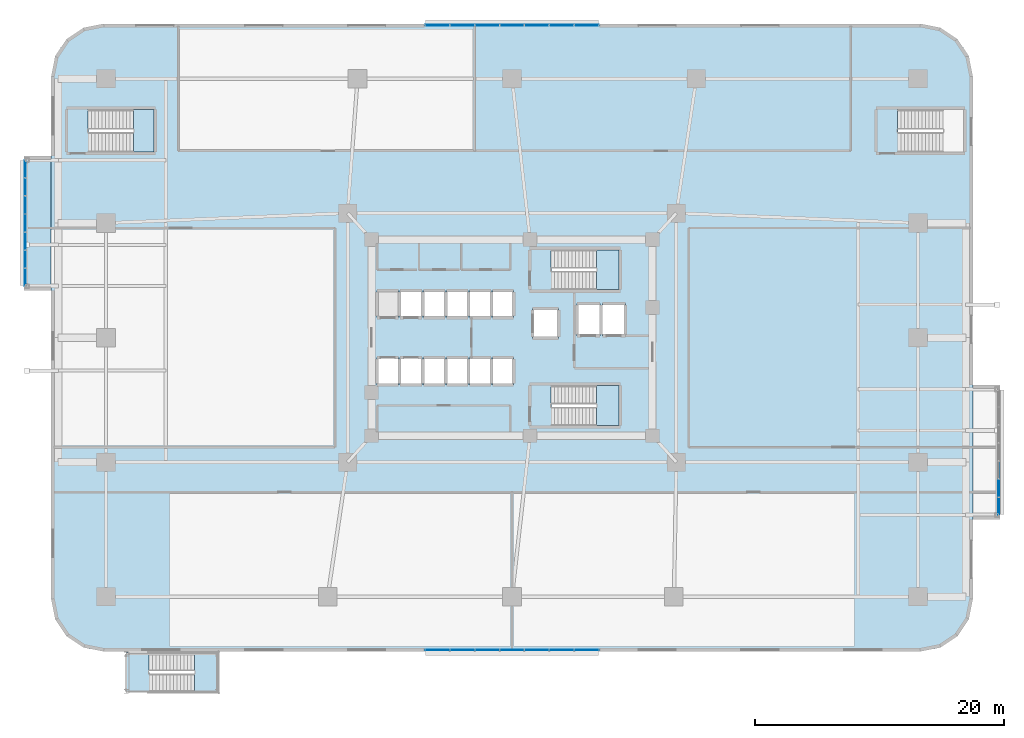
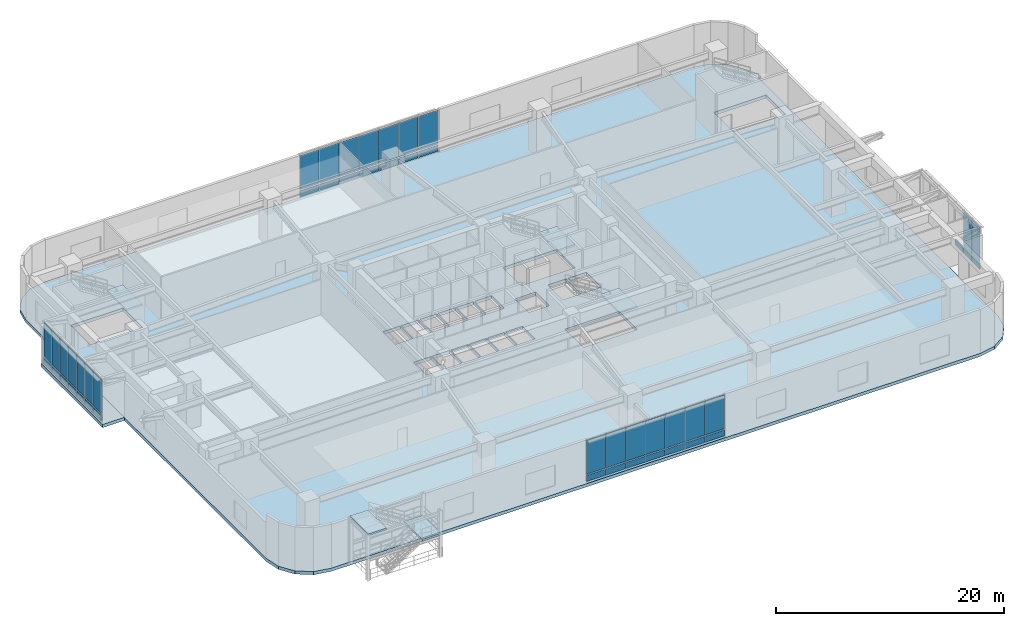
# One storey, part 13 of 23: 47 plates, 7 slabs, 8 elements without a shape of their own.
"""IFC4 building model written with IfcOpenShell, lengths in metres."""

from ifc_helpers import new_model, si_unit, direction, frame, origin, origin_2d, place, context, subcontext, project, spatial, polyline, rectangle, outline, extrude, material, layer, layer_set, type_object, element, aggregate, save


model = new_model("IFC4")

# Units and contexts
model_context = context("Model", 3, precision=1e-05, world=origin(), true_north=direction((0.0, 1.0)))
body_context = subcontext(model_context, "Body", "Model", "MODEL_VIEW")
ifc_project = project(units=[si_unit("LENGTHUNIT", "METRE"), si_unit("AREAUNIT", "SQUARE_METRE"), si_unit("VOLUMEUNIT", "CUBIC_METRE"), si_unit("PLANEANGLEUNIT", "RADIAN"), si_unit("MASSUNIT", "GRAM", prefix="KILO")], contexts=[model_context])

# Site, building, storey
site_placement = place(None, origin())
site = spatial("IfcSite", under=ifc_project, at=site_placement, CompositionType="ELEMENT")
building_placement = place(site_placement, origin())
building = spatial("IfcBuilding", under=site, at=building_placement, Name="Zulverin Broadcast Headquarters", CompositionType="ELEMENT")
storey_placement = place(building_placement, frame((0.0, 0.0, 10.0)))
storey = spatial("IfcBuildingStorey", under=building, at=storey_placement, Name="L02", CompositionType="ELEMENT", Elevation=10.0)

# Curtain wall, plates
ifc_material_1 = material(Name="Pale-metal unitised podium curtain wall", Category="aluminium")
curtain_wall_type_1 = type_object("IfcCurtainWallType", Name="CW-POD", PredefinedType="USERDEFINED", material=ifc_material_1)
curtain_wall_1_placement = place(storey_placement, origin())
curtain_wall_1 = element("IfcCurtainWall", 1, at=curtain_wall_1_placement, inside=storey, type_object=curtain_wall_type_1, Name="L02 Unitised Curtain Wall CW-L02-N2", ObjectType="UNITISED CURTAIN WALL", PredefinedType="USERDEFINED")
ifc_material_2 = material(Name="Low-E double-glazed pale-silver vision glass", Category="glass")
ifc_layer_1 = layer(ifc_material_2, 0.035888671875, Name="Low-E double-glazed pale-silver vision glass", Category="glass")
ifc_layer_set_1 = layer_set([ifc_layer_1], Name="Low-E double-glazed pale-silver vision glass")
plate_type_1 = type_object("IfcPlateType", Name="CW-PNL-GLZ", PredefinedType="CURTAIN_PANEL", material=ifc_layer_set_1)
plate_1_placement = place(storey_placement, frame((43.0, 50.280029296875, 0.9150390625), z_axis=(0.0, 0.0, 1.0), x_axis=(-1.0, 0.0, 0.0)))
plate_1 = element("IfcPlate", 2, at=plate_1_placement, type_object=plate_type_1, Name="CW-L02-N2 Vision Panel 00", PredefinedType="CURTAIN_PANEL", context=body_context, shape_type="SweptSolid", body=[
    extrude(rectangle(XDim=1.9599609375, YDim=0.035888671875, at=origin_2d()), origin(), (0.0, 0.0, 1.0), 3.625),
])
plate_2_placement = place(storey_placement, frame((41.0, 50.280029296875, 0.9150390625), z_axis=(0.0, 0.0, 1.0), x_axis=(-1.0, 0.0, 0.0)))
plate_2 = element("IfcPlate", 3, at=plate_2_placement, type_object=plate_type_1, Name="CW-L02-N2 Vision Panel 01", PredefinedType="CURTAIN_PANEL", context=body_context, shape_type="SweptSolid", body=[
    extrude(rectangle(XDim=1.9599609375, YDim=0.035888671875, at=origin_2d()), origin(), (0.0, 0.0, 1.0), 3.625),
])
plate_3_placement = place(storey_placement, frame((39.0, 50.280029296875, 0.9150390625), z_axis=(0.0, 0.0, 1.0), x_axis=(-1.0, 0.0, 0.0)))
plate_3 = element("IfcPlate", 4, at=plate_3_placement, type_object=plate_type_1, Name="CW-L02-N2 Vision Panel 02", PredefinedType="CURTAIN_PANEL", context=body_context, shape_type="SweptSolid", body=[
    extrude(rectangle(XDim=1.9599609375, YDim=0.035888671875, at=origin_2d()), origin(), (0.0, 0.0, 1.0), 3.625),
])
plate_4_placement = place(storey_placement, frame((37.0, 50.280029296875, 0.9150390625), z_axis=(0.0, 0.0, 1.0), x_axis=(-1.0, 0.0, 0.0)))
plate_4 = element("IfcPlate", 5, at=plate_4_placement, type_object=plate_type_1, Name="CW-L02-N2 Vision Panel 03", PredefinedType="CURTAIN_PANEL", context=body_context, shape_type="SweptSolid", body=[
    extrude(rectangle(XDim=1.9599609375, YDim=0.035888671875, at=origin_2d()), origin(), (0.0, 0.0, 1.0), 3.625),
])
plate_5_placement = place(storey_placement, frame((35.0, 50.280029296875, 0.9150390625), z_axis=(0.0, 0.0, 1.0), x_axis=(-1.0, 0.0, 0.0)))
plate_5 = element("IfcPlate", 6, at=plate_5_placement, type_object=plate_type_1, Name="CW-L02-N2 Vision Panel 04", PredefinedType="CURTAIN_PANEL", context=body_context, shape_type="SweptSolid", body=[
    extrude(rectangle(XDim=1.9599609375, YDim=0.035888671875, at=origin_2d()), origin(), (0.0, 0.0, 1.0), 3.625),
])
plate_6_placement = place(storey_placement, frame((33.0, 50.280029296875, 0.9150390625), z_axis=(0.0, 0.0, 1.0), x_axis=(-1.0, 0.0, 0.0)))
plate_6 = element("IfcPlate", 7, at=plate_6_placement, type_object=plate_type_1, Name="CW-L02-N2 Vision Panel 05", PredefinedType="CURTAIN_PANEL", context=body_context, shape_type="SweptSolid", body=[
    extrude(rectangle(XDim=1.9599609375, YDim=0.035888671875, at=origin_2d()), origin(), (0.0, 0.0, 1.0), 3.625),
])
plate_7_placement = place(storey_placement, frame((31.0, 50.280029296875, 0.9150390625), z_axis=(0.0, 0.0, 1.0), x_axis=(-1.0, 0.0, 0.0)))
plate_7 = element("IfcPlate", 8, at=plate_7_placement, type_object=plate_type_1, Name="CW-L02-N2 Vision Panel 06", PredefinedType="CURTAIN_PANEL", context=body_context, shape_type="SweptSolid", body=[
    extrude(rectangle(XDim=1.9599609375, YDim=0.035888671875, at=origin_2d()), origin(), (0.0, 0.0, 1.0), 3.625),
])

curtain_wall_2_placement = place(storey_placement, origin())
curtain_wall_2 = element("IfcCurtainWall", 9, at=curtain_wall_2_placement, inside=storey, type_object=curtain_wall_type_1, Name="L02 Unitised Curtain Wall CW-L02-S4", ObjectType="UNITISED CURTAIN WALL", PredefinedType="USERDEFINED")
plate_8_placement = place(storey_placement, frame((31.0, 0.1201171875, 0.9150390625), z_axis=(0.0, 0.0, 1.0), x_axis=(1.0, 0.0, 0.0)))
plate_8 = element("IfcPlate", 10, at=plate_8_placement, type_object=plate_type_1, Name="CW-L02-S4 Vision Panel 00", PredefinedType="CURTAIN_PANEL", context=body_context, shape_type="SweptSolid", body=[
    extrude(rectangle(XDim=1.9599609375, YDim=0.035888671875, at=origin_2d()), origin(), (0.0, 0.0, 1.0), 3.625),
])
plate_9_placement = place(storey_placement, frame((33.0, 0.1201171875, 0.9150390625), z_axis=(0.0, 0.0, 1.0), x_axis=(1.0, 0.0, 0.0)))
plate_9 = element("IfcPlate", 11, at=plate_9_placement, type_object=plate_type_1, Name="CW-L02-S4 Vision Panel 01", PredefinedType="CURTAIN_PANEL", context=body_context, shape_type="SweptSolid", body=[
    extrude(rectangle(XDim=1.9599609375, YDim=0.035888671875, at=origin_2d()), origin(), (0.0, 0.0, 1.0), 3.625),
])
plate_10_placement = place(storey_placement, frame((35.0, 0.1201171875, 0.9150390625), z_axis=(0.0, 0.0, 1.0), x_axis=(1.0, 0.0, 0.0)))
plate_10 = element("IfcPlate", 12, at=plate_10_placement, type_object=plate_type_1, Name="CW-L02-S4 Vision Panel 02", PredefinedType="CURTAIN_PANEL", context=body_context, shape_type="SweptSolid", body=[
    extrude(rectangle(XDim=1.9599609375, YDim=0.035888671875, at=origin_2d()), origin(), (0.0, 0.0, 1.0), 3.625),
])
plate_11_placement = place(storey_placement, frame((37.0, 0.1201171875, 0.9150390625), z_axis=(0.0, 0.0, 1.0), x_axis=(1.0, 0.0, 0.0)))
plate_11 = element("IfcPlate", 13, at=plate_11_placement, type_object=plate_type_1, Name="CW-L02-S4 Vision Panel 03", PredefinedType="CURTAIN_PANEL", context=body_context, shape_type="SweptSolid", body=[
    extrude(rectangle(XDim=1.9599609375, YDim=0.035888671875, at=origin_2d()), origin(), (0.0, 0.0, 1.0), 3.625),
])
plate_12_placement = place(storey_placement, frame((39.0, 0.1201171875, 0.9150390625), z_axis=(0.0, 0.0, 1.0), x_axis=(1.0, 0.0, 0.0)))
plate_12 = element("IfcPlate", 14, at=plate_12_placement, type_object=plate_type_1, Name="CW-L02-S4 Vision Panel 04", PredefinedType="CURTAIN_PANEL", context=body_context, shape_type="SweptSolid", body=[
    extrude(rectangle(XDim=1.9599609375, YDim=0.035888671875, at=origin_2d()), origin(), (0.0, 0.0, 1.0), 3.625),
])
plate_13_placement = place(storey_placement, frame((41.0, 0.1201171875, 0.9150390625), z_axis=(0.0, 0.0, 1.0), x_axis=(1.0, 0.0, 0.0)))
plate_13 = element("IfcPlate", 15, at=plate_13_placement, type_object=plate_type_1, Name="CW-L02-S4 Vision Panel 05", PredefinedType="CURTAIN_PANEL", context=body_context, shape_type="SweptSolid", body=[
    extrude(rectangle(XDim=1.9599609375, YDim=0.035888671875, at=origin_2d()), origin(), (0.0, 0.0, 1.0), 3.625),
])
plate_14_placement = place(storey_placement, frame((43.0, 0.1201171875, 0.9150390625), z_axis=(0.0, 0.0, 1.0), x_axis=(1.0, 0.0, 0.0)))
plate_14 = element("IfcPlate", 16, at=plate_14_placement, type_object=plate_type_1, Name="CW-L02-S4 Vision Panel 06", PredefinedType="CURTAIN_PANEL", context=body_context, shape_type="SweptSolid", body=[
    extrude(rectangle(XDim=1.9599609375, YDim=0.035888671875, at=origin_2d()), origin(), (0.0, 0.0, 1.0), 3.625),
])

ifc_material_3 = material(Name="Acoustic triple-glazed studio box curtain wall", Category="aluminium")
curtain_wall_type_2 = type_object("IfcCurtainWallType", Name="CW-SBOX", PredefinedType="USERDEFINED", material=ifc_material_3)
curtain_wall_3_placement = place(storey_placement, origin())
curtain_wall_3 = element("IfcCurtainWall", 17, at=curtain_wall_3_placement, inside=storey, type_object=curtain_wall_type_2, Name="L02 Unitised Curtain Wall CW-L02-SBOX_POD_LOWER_E1-F", ObjectType="UNITISED CURTAIN WALL", PredefinedType="USERDEFINED")
plate_15_placement = place(storey_placement, frame((76.080078125, 11.645751953125, 0.9150390625), z_axis=(0.0, 0.0, 1.0), x_axis=(0.0, 1.0, 0.0)))
plate_15 = element("IfcPlate", 18, at=plate_15_placement, type_object=plate_type_1, Name="CW-L02-SBOX_POD_LOWER_E1-F Vision Panel 00", PredefinedType="CURTAIN_PANEL", context=body_context, shape_type="SweptSolid", body=[
    extrude(rectangle(XDim=1.411376953125, YDim=0.035888671875, at=origin_2d()), origin(), (0.0, 0.0, 1.0), 3.625),
])
plate_16_placement = place(storey_placement, frame((76.080078125, 13.09716796875, 0.9150390625), z_axis=(0.0, 0.0, 1.0), x_axis=(0.0, 1.0, 0.0)))
plate_16 = element("IfcPlate", 19, at=plate_16_placement, type_object=plate_type_1, Name="CW-L02-SBOX_POD_LOWER_E1-F Vision Panel 01", PredefinedType="CURTAIN_PANEL", context=body_context, shape_type="SweptSolid", body=[
    extrude(rectangle(XDim=1.411376953125, YDim=0.035888671875, at=origin_2d()), origin(), (0.0, 0.0, 1.0), 3.625),
])

curtain_wall_4_placement = place(storey_placement, origin())
curtain_wall_4 = element("IfcCurtainWall", 20, at=curtain_wall_4_placement, inside=storey, type_object=curtain_wall_type_2, Name="L02 Unitised Curtain Wall CW-L02-SBOX_POD_LOWER_W1-F", ObjectType="UNITISED CURTAIN WALL", PredefinedType="USERDEFINED")
plate_17_placement = place(storey_placement, frame((-2.080078125, 38.75439453125, 0.9150390625), z_axis=(0.0, 0.0, 1.0), x_axis=(0.0, -1.0, 0.0)))
plate_17 = element("IfcPlate", 21, at=plate_17_placement, type_object=plate_type_1, Name="CW-L02-SBOX_POD_LOWER_W1-F Vision Panel 00", PredefinedType="CURTAIN_PANEL", context=body_context, shape_type="SweptSolid", body=[
    extrude(rectangle(XDim=1.411376953125, YDim=0.035888671875, at=origin_2d()), origin(), (0.0, 0.0, 1.0), 3.625),
])
plate_18_placement = place(storey_placement, frame((-2.080078125, 37.302978515625, 0.9150390625), z_axis=(0.0, 0.0, 1.0), x_axis=(0.0, -1.0, 0.0)))
plate_18 = element("IfcPlate", 22, at=plate_18_placement, type_object=plate_type_1, Name="CW-L02-SBOX_POD_LOWER_W1-F Vision Panel 01", PredefinedType="CURTAIN_PANEL", context=body_context, shape_type="SweptSolid", body=[
    extrude(rectangle(XDim=1.411376953125, YDim=0.035888671875, at=origin_2d()), origin(), (0.0, 0.0, 1.0), 3.625),
])
plate_19_placement = place(storey_placement, frame((-2.080078125, 35.851318359375, 0.9150390625), z_axis=(0.0, 0.0, 1.0), x_axis=(0.0, -1.0, 0.0)))
plate_19 = element("IfcPlate", 23, at=plate_19_placement, type_object=plate_type_1, Name="CW-L02-SBOX_POD_LOWER_W1-F Vision Panel 02", PredefinedType="CURTAIN_PANEL", context=body_context, shape_type="SweptSolid", body=[
    extrude(rectangle(XDim=1.411376953125, YDim=0.035888671875, at=origin_2d()), origin(), (0.0, 0.0, 1.0), 3.625),
])
plate_20_placement = place(storey_placement, frame((-2.080078125, 34.39990234375, 0.9150390625), z_axis=(0.0, 0.0, 1.0), x_axis=(0.0, -1.0, 0.0)))
plate_20 = element("IfcPlate", 24, at=plate_20_placement, type_object=plate_type_1, Name="CW-L02-SBOX_POD_LOWER_W1-F Vision Panel 03", PredefinedType="CURTAIN_PANEL", context=body_context, shape_type="SweptSolid", body=[
    extrude(rectangle(XDim=1.411376953125, YDim=0.035888671875, at=origin_2d()), origin(), (0.0, 0.0, 1.0), 3.625),
])
plate_21_placement = place(storey_placement, frame((-2.080078125, 32.948486328125, 0.9150390625), z_axis=(0.0, 0.0, 1.0), x_axis=(0.0, -1.0, 0.0)))
plate_21 = element("IfcPlate", 25, at=plate_21_placement, type_object=plate_type_1, Name="CW-L02-SBOX_POD_LOWER_W1-F Vision Panel 04", PredefinedType="CURTAIN_PANEL", context=body_context, shape_type="SweptSolid", body=[
    extrude(rectangle(XDim=1.411376953125, YDim=0.035888671875, at=origin_2d()), origin(), (0.0, 0.0, 1.0), 3.625),
])
plate_22_placement = place(storey_placement, frame((-2.080078125, 31.4970703125, 0.9150390625), z_axis=(0.0, 0.0, 1.0), x_axis=(0.0, -1.0, 0.0)))
plate_22 = element("IfcPlate", 26, at=plate_22_placement, type_object=plate_type_1, Name="CW-L02-SBOX_POD_LOWER_W1-F Vision Panel 05", PredefinedType="CURTAIN_PANEL", context=body_context, shape_type="SweptSolid", body=[
    extrude(rectangle(XDim=1.411376953125, YDim=0.035888671875, at=origin_2d()), origin(), (0.0, 0.0, 1.0), 3.625),
])
plate_23_placement = place(storey_placement, frame((-2.080078125, 30.045654296875, 0.9150390625), z_axis=(0.0, 0.0, 1.0), x_axis=(0.0, -1.0, 0.0)))
plate_23 = element("IfcPlate", 27, at=plate_23_placement, type_object=plate_type_1, Name="CW-L02-SBOX_POD_LOWER_W1-F Vision Panel 06", PredefinedType="CURTAIN_PANEL", context=body_context, shape_type="SweptSolid", body=[
    extrude(rectangle(XDim=1.411376953125, YDim=0.035888671875, at=origin_2d()), origin(), (0.0, 0.0, 1.0), 3.625),
])

# Plate
ifc_material_4 = material(Name="Insulated brushed pale-aluminium spandrel cassette", Category="aluminium")
ifc_layer_2 = layer(ifc_material_4, 0.050048828125, Name="Insulated brushed pale-aluminium spandrel cassette", Category="aluminium")
ifc_layer_set_2 = layer_set([ifc_layer_2], Name="Insulated brushed pale-aluminium spandrel cassette")
plate_type_2 = type_object("IfcPlateType", Name="CW-PNL-SPN", PredefinedType="CURTAIN_PANEL", material=ifc_layer_set_2)
plate_24_placement = place(storey_placement, frame((43.0, 50.280029296875, 0.139892578125), z_axis=(0.0, 0.0, 1.0), x_axis=(-1.0, 0.0, 0.0)))
plate_24 = element("IfcPlate", 28, at=plate_24_placement, type_object=plate_type_2, Name="CW-L02-N2 Spandrel Cassette 00", PredefinedType="CURTAIN_PANEL", context=body_context, shape_type="SweptSolid", body=[
    extrude(rectangle(XDim=1.9599609375, YDim=0.050048828125, at=origin_2d()), origin(), (0.0, 0.0, 1.0), 0.64501953125),
])

plate_25_placement = place(storey_placement, frame((41.0, 50.280029296875, 0.139892578125), z_axis=(0.0, 0.0, 1.0), x_axis=(-1.0, 0.0, 0.0)))
plate_25 = element("IfcPlate", 29, at=plate_25_placement, type_object=plate_type_2, Name="CW-L02-N2 Spandrel Cassette 01", PredefinedType="CURTAIN_PANEL", context=body_context, shape_type="SweptSolid", body=[
    extrude(rectangle(XDim=1.9599609375, YDim=0.050048828125, at=origin_2d()), origin(), (0.0, 0.0, 1.0), 0.64501953125),
])

plate_26_placement = place(storey_placement, frame((39.0, 50.280029296875, 0.139892578125), z_axis=(0.0, 0.0, 1.0), x_axis=(-1.0, 0.0, 0.0)))
plate_26 = element("IfcPlate", 30, at=plate_26_placement, type_object=plate_type_2, Name="CW-L02-N2 Spandrel Cassette 02", PredefinedType="CURTAIN_PANEL", context=body_context, shape_type="SweptSolid", body=[
    extrude(rectangle(XDim=1.9599609375, YDim=0.050048828125, at=origin_2d()), origin(), (0.0, 0.0, 1.0), 0.64501953125),
])

plate_27_placement = place(storey_placement, frame((37.0, 50.280029296875, 0.139892578125), z_axis=(0.0, 0.0, 1.0), x_axis=(-1.0, 0.0, 0.0)))
plate_27 = element("IfcPlate", 31, at=plate_27_placement, type_object=plate_type_2, Name="CW-L02-N2 Spandrel Cassette 03", PredefinedType="CURTAIN_PANEL", context=body_context, shape_type="SweptSolid", body=[
    extrude(rectangle(XDim=1.9599609375, YDim=0.050048828125, at=origin_2d()), origin(), (0.0, 0.0, 1.0), 0.64501953125),
])

plate_28_placement = place(storey_placement, frame((35.0, 50.280029296875, 0.139892578125), z_axis=(0.0, 0.0, 1.0), x_axis=(-1.0, 0.0, 0.0)))
plate_28 = element("IfcPlate", 32, at=plate_28_placement, type_object=plate_type_2, Name="CW-L02-N2 Spandrel Cassette 04", PredefinedType="CURTAIN_PANEL", context=body_context, shape_type="SweptSolid", body=[
    extrude(rectangle(XDim=1.9599609375, YDim=0.050048828125, at=origin_2d()), origin(), (0.0, 0.0, 1.0), 0.64501953125),
])

plate_29_placement = place(storey_placement, frame((33.0, 50.280029296875, 0.139892578125), z_axis=(0.0, 0.0, 1.0), x_axis=(-1.0, 0.0, 0.0)))
plate_29 = element("IfcPlate", 33, at=plate_29_placement, type_object=plate_type_2, Name="CW-L02-N2 Spandrel Cassette 05", PredefinedType="CURTAIN_PANEL", context=body_context, shape_type="SweptSolid", body=[
    extrude(rectangle(XDim=1.9599609375, YDim=0.050048828125, at=origin_2d()), origin(), (0.0, 0.0, 1.0), 0.64501953125),
])

plate_30_placement = place(storey_placement, frame((31.0, 50.280029296875, 0.139892578125), z_axis=(0.0, 0.0, 1.0), x_axis=(-1.0, 0.0, 0.0)))
plate_30 = element("IfcPlate", 34, at=plate_30_placement, type_object=plate_type_2, Name="CW-L02-N2 Spandrel Cassette 06", PredefinedType="CURTAIN_PANEL", context=body_context, shape_type="SweptSolid", body=[
    extrude(rectangle(XDim=1.9599609375, YDim=0.050048828125, at=origin_2d()), origin(), (0.0, 0.0, 1.0), 0.64501953125),
])

aggregate(curtain_wall_1, [plate_24, plate_1, plate_25, plate_2, plate_26, plate_3, plate_27, plate_4, plate_28, plate_5, plate_29, plate_6, plate_30, plate_7])

plate_31_placement = place(storey_placement, frame((31.0, 0.1201171875, 0.139892578125), z_axis=(0.0, 0.0, 1.0), x_axis=(1.0, 0.0, 0.0)))
plate_31 = element("IfcPlate", 35, at=plate_31_placement, type_object=plate_type_2, Name="CW-L02-S4 Spandrel Cassette 00", PredefinedType="CURTAIN_PANEL", context=body_context, shape_type="SweptSolid", body=[
    extrude(rectangle(XDim=1.9599609375, YDim=0.050048828125, at=origin_2d()), origin(), (0.0, 0.0, 1.0), 0.64501953125),
])

plate_32_placement = place(storey_placement, frame((33.0, 0.1201171875, 0.139892578125), z_axis=(0.0, 0.0, 1.0), x_axis=(1.0, 0.0, 0.0)))
plate_32 = element("IfcPlate", 36, at=plate_32_placement, type_object=plate_type_2, Name="CW-L02-S4 Spandrel Cassette 01", PredefinedType="CURTAIN_PANEL", context=body_context, shape_type="SweptSolid", body=[
    extrude(rectangle(XDim=1.9599609375, YDim=0.050048828125, at=origin_2d()), origin(), (0.0, 0.0, 1.0), 0.64501953125),
])

plate_33_placement = place(storey_placement, frame((35.0, 0.1201171875, 0.139892578125), z_axis=(0.0, 0.0, 1.0), x_axis=(1.0, 0.0, 0.0)))
plate_33 = element("IfcPlate", 37, at=plate_33_placement, type_object=plate_type_2, Name="CW-L02-S4 Spandrel Cassette 02", PredefinedType="CURTAIN_PANEL", context=body_context, shape_type="SweptSolid", body=[
    extrude(rectangle(XDim=1.9599609375, YDim=0.050048828125, at=origin_2d()), origin(), (0.0, 0.0, 1.0), 0.64501953125),
])

plate_34_placement = place(storey_placement, frame((37.0, 0.1201171875, 0.139892578125), z_axis=(0.0, 0.0, 1.0), x_axis=(1.0, 0.0, 0.0)))
plate_34 = element("IfcPlate", 38, at=plate_34_placement, type_object=plate_type_2, Name="CW-L02-S4 Spandrel Cassette 03", PredefinedType="CURTAIN_PANEL", context=body_context, shape_type="SweptSolid", body=[
    extrude(rectangle(XDim=1.9599609375, YDim=0.050048828125, at=origin_2d()), origin(), (0.0, 0.0, 1.0), 0.64501953125),
])

plate_35_placement = place(storey_placement, frame((39.0, 0.1201171875, 0.139892578125), z_axis=(0.0, 0.0, 1.0), x_axis=(1.0, 0.0, 0.0)))
plate_35 = element("IfcPlate", 39, at=plate_35_placement, type_object=plate_type_2, Name="CW-L02-S4 Spandrel Cassette 04", PredefinedType="CURTAIN_PANEL", context=body_context, shape_type="SweptSolid", body=[
    extrude(rectangle(XDim=1.9599609375, YDim=0.050048828125, at=origin_2d()), origin(), (0.0, 0.0, 1.0), 0.64501953125),
])

plate_36_placement = place(storey_placement, frame((41.0, 0.1201171875, 0.139892578125), z_axis=(0.0, 0.0, 1.0), x_axis=(1.0, 0.0, 0.0)))
plate_36 = element("IfcPlate", 40, at=plate_36_placement, type_object=plate_type_2, Name="CW-L02-S4 Spandrel Cassette 05", PredefinedType="CURTAIN_PANEL", context=body_context, shape_type="SweptSolid", body=[
    extrude(rectangle(XDim=1.9599609375, YDim=0.050048828125, at=origin_2d()), origin(), (0.0, 0.0, 1.0), 0.64501953125),
])

plate_37_placement = place(storey_placement, frame((43.0, 0.1201171875, 0.139892578125), z_axis=(0.0, 0.0, 1.0), x_axis=(1.0, 0.0, 0.0)))
plate_37 = element("IfcPlate", 41, at=plate_37_placement, type_object=plate_type_2, Name="CW-L02-S4 Spandrel Cassette 06", PredefinedType="CURTAIN_PANEL", context=body_context, shape_type="SweptSolid", body=[
    extrude(rectangle(XDim=1.9599609375, YDim=0.050048828125, at=origin_2d()), origin(), (0.0, 0.0, 1.0), 0.64501953125),
])

aggregate(curtain_wall_2, [plate_31, plate_8, plate_32, plate_9, plate_33, plate_10, plate_34, plate_11, plate_35, plate_12, plate_36, plate_13, plate_37, plate_14])

plate_38_placement = place(storey_placement, frame((76.080078125, 11.645751953125, 0.139892578125), z_axis=(0.0, 0.0, 1.0), x_axis=(0.0, 1.0, 0.0)))
plate_38 = element("IfcPlate", 42, at=plate_38_placement, type_object=plate_type_2, Name="CW-L02-SBOX_POD_LOWER_E1-F Spandrel Cassette 00", PredefinedType="CURTAIN_PANEL", context=body_context, shape_type="SweptSolid", body=[
    extrude(rectangle(XDim=1.411376953125, YDim=0.050048828125, at=origin_2d()), origin(), (0.0, 0.0, 1.0), 0.64501953125),
])

plate_39_placement = place(storey_placement, frame((76.080078125, 13.09716796875, 0.139892578125), z_axis=(0.0, 0.0, 1.0), x_axis=(0.0, 1.0, 0.0)))
plate_39 = element("IfcPlate", 43, at=plate_39_placement, type_object=plate_type_2, Name="CW-L02-SBOX_POD_LOWER_E1-F Spandrel Cassette 01", PredefinedType="CURTAIN_PANEL", context=body_context, shape_type="SweptSolid", body=[
    extrude(rectangle(XDim=1.411376953125, YDim=0.050048828125, at=origin_2d()), origin(), (0.0, 0.0, 1.0), 0.64501953125),
])

plate_40_placement = place(storey_placement, frame((76.080078125, 14.548583984375, 0.139892578125), z_axis=(0.0, 0.0, 1.0), x_axis=(0.0, 1.0, 0.0)))
plate_40 = element("IfcPlate", 44, at=plate_40_placement, type_object=plate_type_2, Name="CW-L02-SBOX_POD_LOWER_E1-F Spandrel Cassette 02", PredefinedType="CURTAIN_PANEL", context=body_context, shape_type="SweptSolid", body=[
    extrude(rectangle(XDim=1.411376953125, YDim=0.050048828125, at=origin_2d()), origin(), (0.0, 0.0, 1.0), 0.64501953125),
])

aggregate(curtain_wall_3, [plate_38, plate_15, plate_39, plate_16, plate_40])

plate_41_placement = place(storey_placement, frame((-2.080078125, 38.75439453125, 0.139892578125), z_axis=(0.0, 0.0, 1.0), x_axis=(0.0, -1.0, 0.0)))
plate_41 = element("IfcPlate", 45, at=plate_41_placement, type_object=plate_type_2, Name="CW-L02-SBOX_POD_LOWER_W1-F Spandrel Cassette 00", PredefinedType="CURTAIN_PANEL", context=body_context, shape_type="SweptSolid", body=[
    extrude(rectangle(XDim=1.411376953125, YDim=0.050048828125, at=origin_2d()), origin(), (0.0, 0.0, 1.0), 0.64501953125),
])

plate_42_placement = place(storey_placement, frame((-2.080078125, 37.302978515625, 0.139892578125), z_axis=(0.0, 0.0, 1.0), x_axis=(0.0, -1.0, 0.0)))
plate_42 = element("IfcPlate", 46, at=plate_42_placement, type_object=plate_type_2, Name="CW-L02-SBOX_POD_LOWER_W1-F Spandrel Cassette 01", PredefinedType="CURTAIN_PANEL", context=body_context, shape_type="SweptSolid", body=[
    extrude(rectangle(XDim=1.411376953125, YDim=0.050048828125, at=origin_2d()), origin(), (0.0, 0.0, 1.0), 0.64501953125),
])

plate_43_placement = place(storey_placement, frame((-2.080078125, 35.851318359375, 0.139892578125), z_axis=(0.0, 0.0, 1.0), x_axis=(0.0, -1.0, 0.0)))
plate_43 = element("IfcPlate", 47, at=plate_43_placement, type_object=plate_type_2, Name="CW-L02-SBOX_POD_LOWER_W1-F Spandrel Cassette 02", PredefinedType="CURTAIN_PANEL", context=body_context, shape_type="SweptSolid", body=[
    extrude(rectangle(XDim=1.411376953125, YDim=0.050048828125, at=origin_2d()), origin(), (0.0, 0.0, 1.0), 0.64501953125),
])

plate_44_placement = place(storey_placement, frame((-2.080078125, 34.39990234375, 0.139892578125), z_axis=(0.0, 0.0, 1.0), x_axis=(0.0, -1.0, 0.0)))
plate_44 = element("IfcPlate", 48, at=plate_44_placement, type_object=plate_type_2, Name="CW-L02-SBOX_POD_LOWER_W1-F Spandrel Cassette 03", PredefinedType="CURTAIN_PANEL", context=body_context, shape_type="SweptSolid", body=[
    extrude(rectangle(XDim=1.411376953125, YDim=0.050048828125, at=origin_2d()), origin(), (0.0, 0.0, 1.0), 0.64501953125),
])

plate_45_placement = place(storey_placement, frame((-2.080078125, 32.948486328125, 0.139892578125), z_axis=(0.0, 0.0, 1.0), x_axis=(0.0, -1.0, 0.0)))
plate_45 = element("IfcPlate", 49, at=plate_45_placement, type_object=plate_type_2, Name="CW-L02-SBOX_POD_LOWER_W1-F Spandrel Cassette 04", PredefinedType="CURTAIN_PANEL", context=body_context, shape_type="SweptSolid", body=[
    extrude(rectangle(XDim=1.411376953125, YDim=0.050048828125, at=origin_2d()), origin(), (0.0, 0.0, 1.0), 0.64501953125),
])

plate_46_placement = place(storey_placement, frame((-2.080078125, 31.4970703125, 0.139892578125), z_axis=(0.0, 0.0, 1.0), x_axis=(0.0, -1.0, 0.0)))
plate_46 = element("IfcPlate", 50, at=plate_46_placement, type_object=plate_type_2, Name="CW-L02-SBOX_POD_LOWER_W1-F Spandrel Cassette 05", PredefinedType="CURTAIN_PANEL", context=body_context, shape_type="SweptSolid", body=[
    extrude(rectangle(XDim=1.411376953125, YDim=0.050048828125, at=origin_2d()), origin(), (0.0, 0.0, 1.0), 0.64501953125),
])

plate_47_placement = place(storey_placement, frame((-2.080078125, 30.045654296875, 0.139892578125), z_axis=(0.0, 0.0, 1.0), x_axis=(0.0, -1.0, 0.0)))
plate_47 = element("IfcPlate", 51, at=plate_47_placement, type_object=plate_type_2, Name="CW-L02-SBOX_POD_LOWER_W1-F Spandrel Cassette 06", PredefinedType="CURTAIN_PANEL", context=body_context, shape_type="SweptSolid", body=[
    extrude(rectangle(XDim=1.411376953125, YDim=0.050048828125, at=origin_2d()), origin(), (0.0, 0.0, 1.0), 0.64501953125),
])

aggregate(curtain_wall_4, [plate_41, plate_17, plate_42, plate_18, plate_43, plate_19, plate_44, plate_20, plate_45, plate_21, plate_46, plate_22, plate_47, plate_23])

# Slabs
ifc_material_5 = material(Name="Concrete C40/50", Category="concrete")
ifc_layer_3 = layer(ifc_material_5, 0.340087890625, Name="Concrete C40/50", Category="concrete")
ifc_layer_set_3 = layer_set([ifc_layer_3], Name="Concrete C40/50")
slab_type_1 = type_object("IfcSlabType", Name="SLB-POD-340", PredefinedType="FLOOR", material=ifc_layer_set_3)
slab_1_placement = place(storey_placement, frame((0.0, 0.0, -0.340087890625)))
element("IfcSlab", 52, at=slab_1_placement, inside=storey, type_object=slab_type_1, Name="L02 Main Structural Floor Slab", PredefinedType="FLOOR", context=body_context, shape_type="SweptSolid", body=[
    extrude(outline(polyline([(69.800048828125, 0.0), (71.4072265625, 0.319580078125), (72.769775390625, 1.230224609375), (73.680419921875, 2.5927734375), (74.0, 4.199951171875), (74.0, 46.199951171875), (73.680419921875, 47.807373046875), (72.769775390625, 49.169921875), (71.4072265625, 50.080322265625), (69.800048828125, 50.39990234375), (4.199951171875, 50.39990234375), (2.5927734375, 50.080322265625), (1.230224609375, 49.169921875), (0.319580078125, 47.807373046875), (0.0, 46.199951171875), (0.0, 4.199951171875), (0.319580078125, 2.5927734375), (1.230224609375, 1.230224609375), (2.5927734375, 0.319580078125), (4.199951171875, 0.0), (69.800048828125, 0.0)]), holes=[polyline([(40.155029296875, 30.75), (40.13037109375, 30.75), (40.13037109375, 32.25), (45.60009765625, 32.25), (45.60009765625, 29.050048828125), (40.155029296875, 29.050048828125), (40.155029296875, 30.75)]), polyline([(40.155029296875, 19.85009765625), (40.13037109375, 19.85009765625), (40.13037109375, 21.35009765625), (45.60009765625, 21.35009765625), (45.60009765625, 18.14990234375), (40.155029296875, 18.14990234375), (40.155029296875, 19.85009765625)]), polyline([(2.9951171875, 41.89990234375), (2.970458984375, 41.89990234375), (2.970458984375, 43.5), (8.25, 43.5), (8.25, 40.10009765625), (2.9951171875, 40.10009765625), (2.9951171875, 41.89990234375)]), polyline([(67.9951171875, 41.89990234375), (67.970458984375, 41.89990234375), (67.970458984375, 43.5), (73.25, 43.5), (73.25, 40.10009765625), (67.9951171875, 40.10009765625), (67.9951171875, 41.89990234375)]), polyline([(26.14990234375, 26.800048828125), (27.89990234375, 26.800048828125), (27.89990234375, 29.0), (26.14990234375, 29.0), (26.14990234375, 26.800048828125)]), polyline([(28.02001953125, 26.800048828125), (29.77001953125, 26.800048828125), (29.77001953125, 29.0), (28.02001953125, 29.0), (28.02001953125, 26.800048828125)]), polyline([(26.14990234375, 21.39990234375), (27.89990234375, 21.39990234375), (27.89990234375, 23.60009765625), (26.14990234375, 23.60009765625), (26.14990234375, 21.39990234375)]), polyline([(28.02001953125, 21.39990234375), (29.77001953125, 21.39990234375), (29.77001953125, 23.60009765625), (28.02001953125, 23.60009765625), (28.02001953125, 21.39990234375)]), polyline([(29.89990234375, 21.39990234375), (31.6201171875, 21.39990234375), (31.6201171875, 23.60009765625), (29.89990234375, 23.60009765625), (29.89990234375, 21.39990234375)]), polyline([(31.739990234375, 21.39990234375), (33.4599609375, 21.39990234375), (33.4599609375, 23.60009765625), (31.739990234375, 23.60009765625), (31.739990234375, 21.39990234375)]), polyline([(33.580078125, 21.39990234375), (35.300048828125, 21.39990234375), (35.300048828125, 23.60009765625), (33.580078125, 23.60009765625), (33.580078125, 21.39990234375)]), polyline([(35.419921875, 21.39990234375), (37.139892578125, 21.39990234375), (37.139892578125, 23.60009765625), (35.419921875, 23.60009765625), (35.419921875, 21.39990234375)]), polyline([(29.89990234375, 26.800048828125), (31.6201171875, 26.800048828125), (31.6201171875, 29.0), (29.89990234375, 29.0), (29.89990234375, 26.800048828125)]), polyline([(31.739990234375, 26.800048828125), (33.4599609375, 26.800048828125), (33.4599609375, 29.0), (31.739990234375, 29.0), (31.739990234375, 26.800048828125)]), polyline([(33.580078125, 26.800048828125), (35.300048828125, 26.800048828125), (35.300048828125, 29.0), (33.580078125, 29.0), (33.580078125, 26.800048828125)]), polyline([(35.419921875, 26.800048828125), (37.139892578125, 26.800048828125), (37.139892578125, 29.0), (35.419921875, 29.0), (35.419921875, 26.800048828125)]), polyline([(42.199951171875, 25.35009765625), (44.050048828125, 25.35009765625), (44.050048828125, 27.949951171875), (42.199951171875, 27.949951171875), (42.199951171875, 25.35009765625)]), polyline([(44.25, 25.35009765625), (46.10009765625, 25.35009765625), (46.10009765625, 27.949951171875), (44.25, 27.949951171875), (44.25, 25.35009765625)]), polyline([(38.64990234375, 25.14990234375), (40.75, 25.14990234375), (40.75, 27.550048828125), (38.64990234375, 27.550048828125), (38.64990234375, 25.14990234375)])]), origin(), (0.0, 0.0, 1.0), 0.340087890625),
])
slab_2_placement = place(storey_placement, frame((0.0, 0.0, -0.340087890625)))
element("IfcSlab", 53, at=slab_2_placement, inside=storey, type_object=slab_type_1, Name="L02 Shifted Broadcast Studio Box Floor Slab SBOX_POD_LOWER_W1", PredefinedType="FLOOR", context=body_context, shape_type="SweptSolid", body=[
    extrude(outline(polyline([(-2.199951171875, 29.0), (0.0, 29.0), (0.0, 39.800048828125), (-2.199951171875, 39.800048828125), (-2.199951171875, 29.0)])), origin(), (0.0, 0.0, 1.0), 0.340087890625),
])

# Stair, slab
stair_type_1 = type_object("IfcStairType", Name="ST-CORE-1500", PredefinedType="HALF_TURN_STAIR", material=ifc_material_5)
stair_1_placement = place(storey_placement, origin())
stair_1 = element("IfcStair", 54, at=stair_1_placement, inside=storey, type_object=stair_type_1, Name="L02 Core Exit Stair ST-1", PredefinedType="HALF_TURN_STAIR")
ifc_layer_4 = layer(ifc_material_5, 0.199951171875, Name="Concrete C40/50", Category="concrete")
ifc_layer_set_4 = layer_set([ifc_layer_4], Name="Concrete C40/50")
slab_type_2 = type_object("IfcSlabType", Name="SLB-ST-LND200", PredefinedType="LANDING", material=ifc_layer_set_4)
slab_3_placement = place(storey_placement, frame((0.0, 0.0, 2.300048828125)))
slab_3 = element("IfcSlab", 55, at=slab_3_placement, type_object=slab_type_2, Name="ST-1 landing 1", PredefinedType="LANDING", context=body_context, shape_type="SweptSolid", body=[
    extrude(outline(polyline([(43.77001953125, 29.050048828125), (45.60009765625, 29.050048828125), (45.60009765625, 32.25), (43.77001953125, 32.25), (43.77001953125, 29.050048828125)])), origin(), (0.0, 0.0, 1.0), 0.199951171875),
])
aggregate(stair_1, [slab_3])

stair_2_placement = place(storey_placement, origin())
stair_2 = element("IfcStair", 56, at=stair_2_placement, inside=storey, type_object=stair_type_1, Name="L02 Core Exit Stair ST-2", PredefinedType="HALF_TURN_STAIR")
slab_4_placement = place(storey_placement, frame((0.0, 0.0, 2.300048828125)))
slab_4 = element("IfcSlab", 57, at=slab_4_placement, type_object=slab_type_2, Name="ST-2 landing 1", PredefinedType="LANDING", context=body_context, shape_type="SweptSolid", body=[
    extrude(outline(polyline([(43.77001953125, 18.14990234375), (45.60009765625, 18.14990234375), (45.60009765625, 21.35009765625), (43.77001953125, 21.35009765625), (43.77001953125, 18.14990234375)])), origin(), (0.0, 0.0, 1.0), 0.199951171875),
])
aggregate(stair_2, [slab_4])

stair_type_2 = type_object("IfcStairType", Name="ST-POD-1600", PredefinedType="HALF_TURN_STAIR", material=ifc_material_5)
stair_3_placement = place(storey_placement, origin())
stair_3 = element("IfcStair", 58, at=stair_3_placement, inside=storey, type_object=stair_type_2, Name="L02 Podium Exit Stair ST-3", PredefinedType="HALF_TURN_STAIR")
slab_5_placement = place(storey_placement, frame((0.0, 0.0, 2.300048828125)))
slab_5 = element("IfcSlab", 59, at=slab_5_placement, type_object=slab_type_2, Name="ST-3 landing 1", PredefinedType="LANDING", context=body_context, shape_type="SweptSolid", body=[
    extrude(outline(polyline([(6.610107421875, 40.10009765625), (8.25, 40.10009765625), (8.25, 43.5), (6.610107421875, 43.5), (6.610107421875, 40.10009765625)])), origin(), (0.0, 0.0, 1.0), 0.199951171875),
])
aggregate(stair_3, [slab_5])

# Stair, slabs
stair_type_3 = type_object("IfcStairType", Name="ST-GDN-1500", PredefinedType="HALF_TURN_STAIR", material=ifc_material_5)
stair_4_placement = place(storey_placement, origin())
stair_4 = element("IfcStair", 60, at=stair_4_placement, inside=storey, type_object=stair_type_3, Name="L02 Exterior Public Garden Stair ST-5", PredefinedType="HALF_TURN_STAIR")
slab_6_placement = place(storey_placement, frame((0.0, 0.0, 2.300048828125)))
slab_6 = element("IfcSlab", 61, at=slab_6_placement, type_object=slab_type_2, Name="ST-5 landing 1", PredefinedType="LANDING", context=body_context, shape_type="SweptSolid", body=[
    extrude(outline(polyline([(11.489990234375, -3.280029296875), (13.39990234375, -3.280029296875), (13.39990234375, -0.080078125), (11.489990234375, -0.080078125), (11.489990234375, -3.280029296875)])), origin(), (0.0, 0.0, 1.0), 0.199951171875),
])
placement = place(building_placement, frame((0.0, 0.0, 15.0)))
slab_7_placement = place(placement, frame((0.0, 0.0, -0.199951171875)))
slab_7 = element("IfcSlab", 62, at=slab_7_placement, type_object=slab_type_2, Name="L03 Exterior Garden Stair Floor Landing", PredefinedType="LANDING", context=body_context, shape_type="SweptSolid", body=[
    extrude(outline(polyline([(6.02001953125, -3.280029296875), (7.875, -3.280029296875), (7.875, -1.679931640625), (7.850341796875, -1.679931640625), (7.850341796875, -0.080078125), (6.02001953125, -0.080078125), (6.02001953125, -3.280029296875)])), origin(), (0.0, 0.0, 1.0), 0.199951171875),
])
aggregate(stair_4, [slab_6, slab_7])

save(model, "model.ifc")
